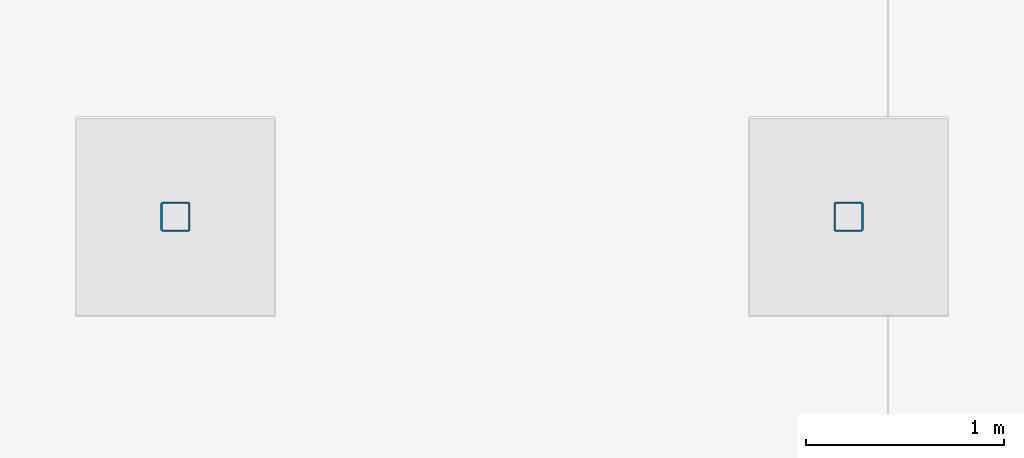
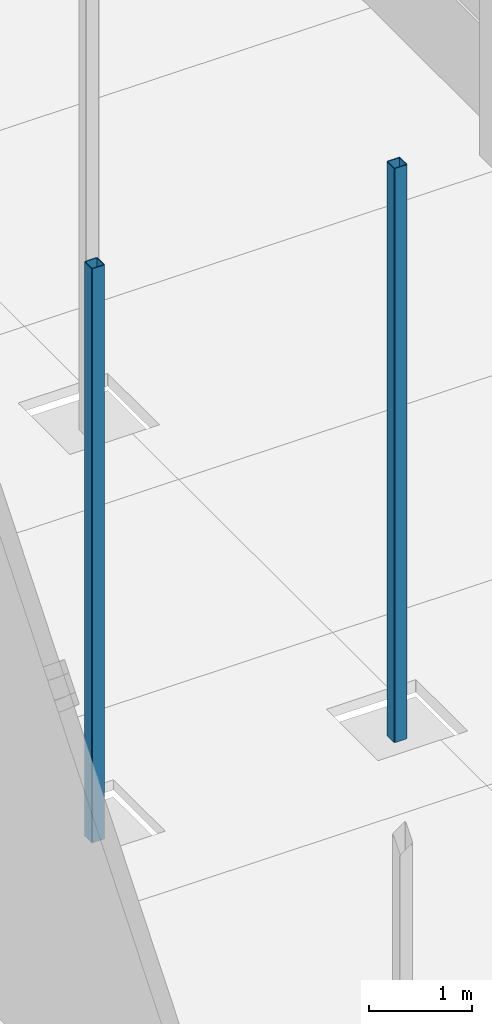
# One storey, part 11 of 95: 2 columns.
"""IFC4 building model written with IfcOpenShell, lengths in metres."""

from ifc_helpers import new_model, si_unit, direction, frame, origin, origin_2d, place, context, subcontext, project, spatial, hollow_rectangle, extrude, material, material_profile, profile_set, type_object, element, save


model = new_model("IFC4")

# Units and contexts
model_context = context("Model", 3, precision=1e-05, world=origin(), true_north=direction((0.0, 1.0)))
body_context = subcontext(model_context, "Body", "Model", "MODEL_VIEW")
ifc_project = project(units=[si_unit("LENGTHUNIT", "METRE"), si_unit("AREAUNIT", "SQUARE_METRE"), si_unit("VOLUMEUNIT", "CUBIC_METRE"), si_unit("PLANEANGLEUNIT", "RADIAN"), si_unit("MASSUNIT", "GRAM", prefix="KILO")], contexts=[model_context])

# Site, building, storey
site_placement = place(None, origin())
site = spatial("IfcSite", under=ifc_project, at=site_placement, CompositionType="ELEMENT")
building_placement = place(site_placement, origin())
building = spatial("IfcBuilding", under=site, at=building_placement, Name="Saffron Lane Theatres", CompositionType="ELEMENT")
storey_placement = place(building_placement, origin())
storey = spatial("IfcBuildingStorey", under=building, at=storey_placement, Name="L00", CompositionType="ELEMENT", Elevation=0.0)

# Columns
ifc_material = material(Name="Steel Grade 350", Category="steel")
ifc_material_profile = material_profile(ifc_material, hollow_rectangle(XDim=0.14990234375, YDim=0.14990234375, WallThickness=0.009033203125, InnerFilletRadius=0.00439453125, OuterFilletRadius=0.013427734375, at=origin_2d()))
ifc_profile_set = profile_set([ifc_material_profile], Name="Steel Grade 350")
column_type = type_object("IfcColumnType", Name="ST-CANOPY COLUMN 150x150x9 SHS", PredefinedType="COLUMN", material=ifc_profile_set)
for number, where, z_axis, x_axis, name in (
    (1, (56.39990234375, 61.39990234375, -0.199951171875), (0.0, 0.0, 1.0), (1.0, 0.0, 0.0), "CCW6"),
    (2, (59.800048828125, 61.39990234375, -0.199951171875), (0.0, 0.0, 1.0), (1.0, 0.0, 0.0), "CCE6"),
):
    element("IfcColumn", number, at=place(storey_placement, frame(where, z_axis=z_axis, x_axis=x_axis)), inside=storey, type_object=column_type, Name=name, PredefinedType="COLUMN", context=body_context, shape_type="SweptSolid", body=[
        extrude(hollow_rectangle(XDim=0.14990234375, YDim=0.14990234375, WallThickness=0.009033203125, InnerFilletRadius=0.00439453125, OuterFilletRadius=0.013427734375, at=origin_2d()), origin(), (0.0, 0.0, 1.0), 6.822021484375),
    ])

save(model, "model.ifc")
